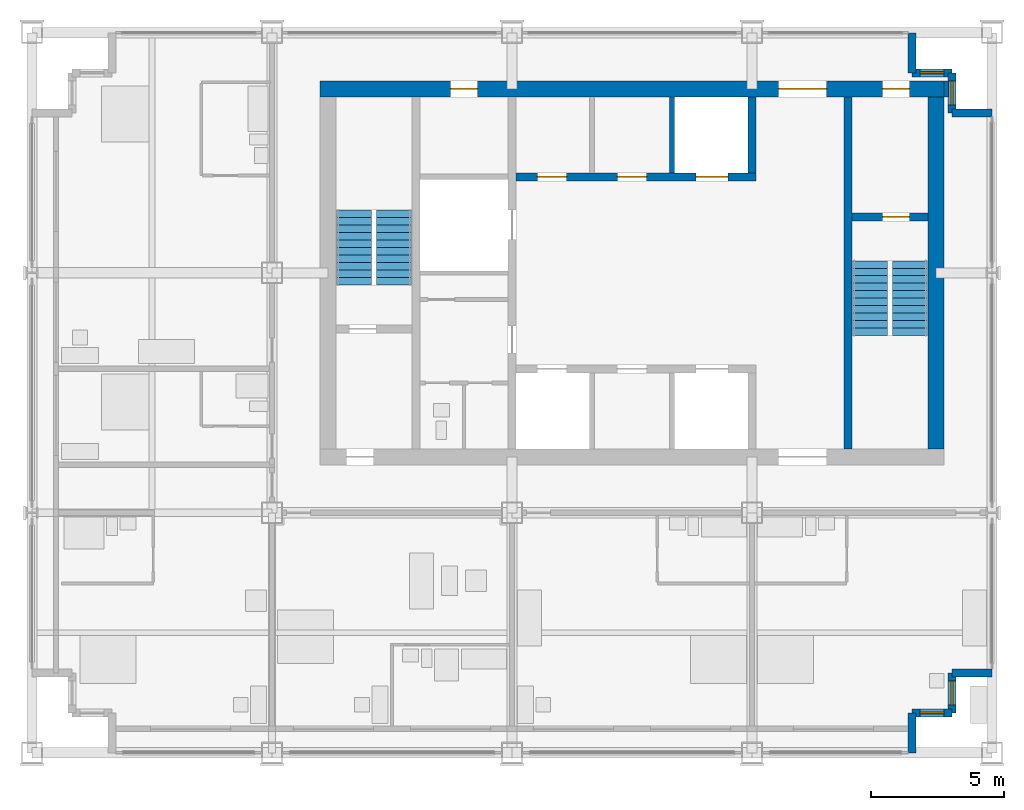
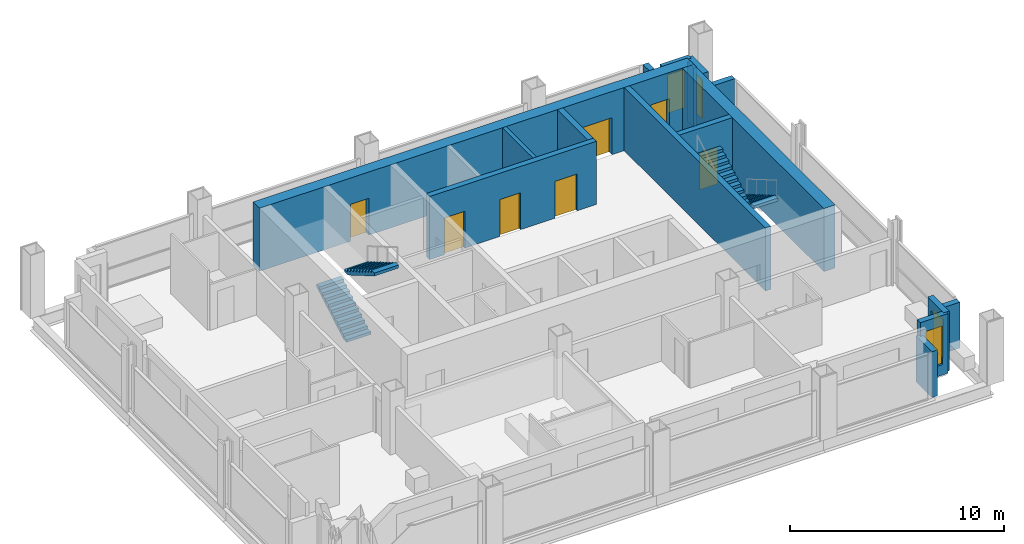
# One storey, part 8 of 11: 16 walls, 7 doors, 4 stair flights, 4 windows, 11 openings, 2 elements without a shape of their own.
"""IFC4 building model written with IfcOpenShell, lengths in metres."""

from ifc_helpers import new_model, si_unit, direction, frame, frame_2d, origin, place, context, subcontext, project, spatial, polyline, rectangle, outline, extrude, material, layer, layer_set, type_object, element, fill, aggregate, save


model = new_model("IFC4")

# Units and contexts
model_context = context("Model", 3, precision=1e-05, world=origin(), true_north=direction((0.0, 1.0)))
body_context = subcontext(model_context, "Body", "Model", "MODEL_VIEW")
ifc_project = project(units=[si_unit("LENGTHUNIT", "METRE"), si_unit("AREAUNIT", "SQUARE_METRE"), si_unit("VOLUMEUNIT", "CUBIC_METRE"), si_unit("PLANEANGLEUNIT", "RADIAN"), si_unit("MASSUNIT", "GRAM", prefix="KILO")], contexts=[model_context])

# Site, building, storey
site_placement = place(None, origin())
site = spatial("IfcSite", under=ifc_project, at=site_placement, CompositionType="ELEMENT")
building_placement = place(site_placement, origin())
building = spatial("IfcBuilding", under=site, at=building_placement, Name="Loomwork Tower", CompositionType="ELEMENT")
storey_placement = place(building_placement, frame((0.0, 0.0, 241.0)))
storey = spatial("IfcBuildingStorey", under=building, at=storey_placement, Name="L66", CompositionType="ELEMENT", Elevation=241.0)

# Wall, openings, doors
ifc_material_1 = material(Name="Concrete 14000 psi (97 MPa)", Category="concrete")
ifc_layer_1 = layer(ifc_material_1, 0.300048828125)
ifc_layer_set_1 = layer_set([ifc_layer_1], Name="Core shear wall 300")
wall_type_1 = type_object("IfcWallType", Name="Core shear wall 300", PredefinedType="SHEAR", material=ifc_layer_set_1)
wall_1_placement = place(storey_placement, frame((18.14990234375, 21.60009765625, 0.0), z_axis=(0.0, 0.0, 1.0), x_axis=(1.0, 0.0, 0.0)))
wall_1 = element("IfcWall", 1, at=wall_1_placement, inside=storey, type_object=wall_type_1, Name="Lift front wall north L66", PredefinedType="SHEAR", context=body_context, shape_type="SweptSolid", body=[
    extrude(rectangle(XDim=9.0, YDim=0.300048828125, at=frame_2d((4.5, 0.0))), origin(), (0.0, 0.0, 1.0), 3.60009765625),
])
opening_1_placement = place(wall_1_placement, frame((6.75, 0.0, 0.0)))
opening_1 = element("IfcOpeningElement", 2, at=opening_1_placement, cuts=wall_1, Name="Opening LD2", PredefinedType="OPENING", context=body_context, shape_type="SweptSolid", body=[
    extrude(rectangle(XDim=1.199951171875, YDim=2.10009765625, at=frame_2d((0.60009765625, 1.050048828125))), frame((0.0, 0.159912109375, 0.0), z_axis=(0.0, -1.0, 0.0), x_axis=(1.0, 0.0, 0.0)), (0.0, 0.0, 1.0), 0.320068359375),
])
opening_2_placement = place(wall_1_placement, frame((0.800048828125, 0.0, 0.0)))
opening_2 = element("IfcOpeningElement", 3, at=opening_2_placement, cuts=wall_1, Name="Opening D17", PredefinedType="OPENING", context=body_context, shape_type="SweptSolid", body=[
    extrude(rectangle(XDim=1.10009765625, YDim=2.10009765625, at=frame_2d((0.550048828125, 1.050048828125))), frame((0.0, 0.159912109375, 0.0), z_axis=(0.0, -1.0, 0.0), x_axis=(1.0, 0.0, 0.0)), (0.0, 0.0, 1.0), 0.320068359375),
])
opening_3_placement = place(wall_1_placement, frame((3.800048828125, 0.0, 0.0)))
opening_3 = element("IfcOpeningElement", 4, at=opening_3_placement, cuts=wall_1, Name="Opening D17", PredefinedType="OPENING", context=body_context, shape_type="SweptSolid", body=[
    extrude(rectangle(XDim=1.10009765625, YDim=2.10009765625, at=frame_2d((0.550048828125, 1.050048828125))), frame((0.0, 0.159912109375, 0.0), z_axis=(0.0, -1.0, 0.0), x_axis=(1.0, 0.0, 0.0)), (0.0, 0.0, 1.0), 0.320068359375),
])
ifc_material_2 = material(Name="Hollow metal door and frame")
door_type_1 = type_object("IfcDoorType", Name="Lift landing door 1200", OperationType="SLIDING_TO_LEFT", PredefinedType="DOOR", material=ifc_material_2)
door_1_placement = place(opening_1_placement, origin())
door_1 = element("IfcDoor", 5, at=door_1_placement, inside=storey, type_object=door_type_1, Name="Lift landing door LF2", OperationType="SLIDING_TO_LEFT", OverallHeight=2.10009765625, OverallWidth=1.199951171875, PredefinedType="DOOR", context=body_context, shape_type="SweptSolid", body=[
    extrude(rectangle(XDim=1.199951171875, YDim=2.10009765625, at=frame_2d((0.60009765625, 1.050048828125))), frame((0.0, 0.02490234375, 0.0), z_axis=(0.0, -1.0, 0.0), x_axis=(1.0, 0.0, 0.0)), (0.0, 0.0, 1.0), 0.050048828125),
])
fill(opening_1, door_1)
ifc_material_3 = material(Name="Hollow metal door and frame")
door_type_2 = type_object("IfcDoorType", Name="Service room door 1100", OperationType="SINGLE_SWING_LEFT", PredefinedType="DOOR", material=ifc_material_3)
door_2_placement = place(opening_2_placement, origin())
door_2 = element("IfcDoor", 6, at=door_2_placement, inside=storey, type_object=door_type_2, Name="Guest pantry, ice and vending door L66", OperationType="SINGLE_SWING_LEFT", OverallHeight=2.10009765625, OverallWidth=1.10009765625, PredefinedType="DOOR", context=body_context, shape_type="SweptSolid", body=[
    extrude(rectangle(XDim=1.10009765625, YDim=2.10009765625, at=frame_2d((0.550048828125, 1.050048828125))), frame((0.0, 0.02490234375, 0.0), z_axis=(0.0, -1.0, 0.0), x_axis=(1.0, 0.0, 0.0)), (0.0, 0.0, 1.0), 0.050048828125),
])
fill(opening_2, door_2)
door_3_placement = place(opening_3_placement, origin())
door_3 = element("IfcDoor", 7, at=door_3_placement, inside=storey, type_object=door_type_2, Name="Storage room door L66", OperationType="SINGLE_SWING_LEFT", OverallHeight=2.10009765625, OverallWidth=1.10009765625, PredefinedType="DOOR", context=body_context, shape_type="SweptSolid", body=[
    extrude(rectangle(XDim=1.10009765625, YDim=2.10009765625, at=frame_2d((0.550048828125, 1.050048828125))), frame((0.0, 0.02490234375, 0.0), z_axis=(0.0, -1.0, 0.0), x_axis=(1.0, 0.0, 0.0)), (0.0, 0.0, 1.0), 0.050048828125),
])
fill(opening_3, door_3)

# Walls
wall_2_placement = place(storey_placement, frame((27.0, 21.75, 0.0), z_axis=(0.0, 0.0, 1.0), x_axis=(0.0, 1.0, 0.0)))
element("IfcWall", 8, at=wall_2_placement, inside=storey, type_object=wall_type_1, Name="Lift shaft end wall north L66", PredefinedType="SHEAR", context=body_context, shape_type="SweptSolid", body=[
    extrude(rectangle(XDim=2.85009765625, YDim=0.300048828125, at=frame_2d((1.425048828125, 0.0))), origin(), (0.0, 0.0, 1.0), 3.60009765625),
])
wall_3_placement = place(storey_placement, frame((30.60009765625, 11.39990234375, 0.0), z_axis=(0.0, 0.0, 1.0), x_axis=(0.0, 1.0, 0.0)))
element("IfcWall", 9, at=wall_3_placement, inside=storey, type_object=wall_type_1, Name="Stair B west wall L66", PredefinedType="SHEAR", context=body_context, shape_type="SweptSolid", body=[
    extrude(rectangle(XDim=13.2001953125, YDim=0.300048828125, at=frame_2d((6.60009765625, 0.0))), origin(), (0.0, 0.0, 1.0), 3.60009765625),
])

# Wall, opening, door
wall_4_placement = place(storey_placement, frame((30.75, 20.10009765625, 0.0), z_axis=(0.0, 0.0, 1.0), x_axis=(1.0, 0.0, 0.0)))
wall_4 = element("IfcWall", 10, at=wall_4_placement, inside=storey, type_object=wall_type_1, Name="Stair B north wall L66", PredefinedType="SHEAR", context=body_context, shape_type="SweptSolid", body=[
    extrude(rectangle(XDim=2.85009765625, YDim=0.300048828125, at=frame_2d((1.425048828125, 0.0))), origin(), (0.0, 0.0, 1.0), 3.60009765625),
])
opening_4_placement = place(wall_4_placement, frame((1.14990234375, 0.0, 0.0)))
opening_4 = element("IfcOpeningElement", 11, at=opening_4_placement, cuts=wall_4, Name="Opening D4", PredefinedType="OPENING", context=body_context, shape_type="SweptSolid", body=[
    extrude(rectangle(XDim=1.0, YDim=2.10009765625, at=frame_2d((0.5, 1.050048828125))), frame((0.0, 0.159912109375, 0.0), z_axis=(0.0, -1.0, 0.0), x_axis=(1.0, 0.0, 0.0)), (0.0, 0.0, 1.0), 0.320068359375),
])
ifc_material_4 = material(Name="Hollow metal door and frame")
door_type_3 = type_object("IfcDoorType", Name="Stair door 1000", OperationType="SINGLE_SWING_RIGHT", PredefinedType="DOOR", material=ifc_material_4)
door_4_placement = place(opening_4_placement, frame((1.0, 0.0, 0.0), z_axis=(0.0, 0.0, 1.0), x_axis=(-1.0, 0.0, 0.0)))
door_4 = element("IfcDoor", 12, at=door_4_placement, inside=storey, type_object=door_type_3, Name="Stair B door", OperationType="SINGLE_SWING_LEFT", OverallHeight=2.10009765625, OverallWidth=1.0, PredefinedType="DOOR", context=body_context, shape_type="SweptSolid", body=[
    extrude(rectangle(XDim=1.0, YDim=2.10009765625, at=frame_2d((0.5, 1.050048828125))), frame((0.0, 0.02490234375, 0.0), z_axis=(0.0, -1.0, 0.0), x_axis=(1.0, 0.0, 0.0)), (0.0, 0.0, 1.0), 0.050048828125),
])
fill(opening_4, door_4)

# Wall, openings, doors
ifc_material_5 = material(Name="Concrete 14000 psi (97 MPa)", Category="concrete")
ifc_layer_2 = layer(ifc_material_5, 0.60009765625)
ifc_layer_set_2 = layer_set([ifc_layer_2], Name="Core shear wall 600")
wall_type_2 = type_object("IfcWallType", Name="Core shear wall 600", PredefinedType="SHEAR", material=ifc_layer_set_2)
wall_5_placement = place(storey_placement, frame((10.800048828125, 24.89990234375, 0.0), z_axis=(0.0, 0.0, 1.0), x_axis=(1.0, 0.0, 0.0)))
wall_5 = element("IfcWall", 13, at=wall_5_placement, inside=storey, type_object=wall_type_2, Name="Core wall north L66", PredefinedType="SHEAR", context=body_context, shape_type="SweptSolid", body=[
    extrude(rectangle(XDim=23.39990234375, YDim=0.60009765625, at=frame_2d((11.699951171875, 0.0))), origin(), (0.0, 0.0, 1.0), 3.60009765625),
])
opening_5_placement = place(wall_5_placement, frame((17.199951171875, 0.0, 0.0)))
opening_5 = element("IfcOpeningElement", 14, at=opening_5_placement, cuts=wall_5, Name="Opening D6", PredefinedType="OPENING", context=body_context, shape_type="SweptSolid", body=[
    extrude(rectangle(XDim=1.800048828125, YDim=2.10009765625, at=frame_2d((0.89990234375, 1.050048828125))), frame((0.0, 0.31005859375, 0.0), z_axis=(0.0, -1.0, 0.0), x_axis=(1.0, 0.0, 0.0)), (0.0, 0.0, 1.0), 0.6201171875),
])
opening_6_placement = place(wall_5_placement, frame((21.10009765625, 0.0, 0.0)))
opening_6 = element("IfcOpeningElement", 15, at=opening_6_placement, cuts=wall_5, Name="Opening D4", PredefinedType="OPENING", context=body_context, shape_type="SweptSolid", body=[
    extrude(rectangle(XDim=1.0, YDim=2.10009765625, at=frame_2d((0.5, 1.050048828125))), frame((0.0, 0.31005859375, 0.0), z_axis=(0.0, -1.0, 0.0), x_axis=(1.0, 0.0, 0.0)), (0.0, 0.0, 1.0), 0.6201171875),
])
opening_7_placement = place(wall_5_placement, frame((4.89990234375, 0.0, 0.0)))
opening_7 = element("IfcOpeningElement", 16, at=opening_7_placement, cuts=wall_5, Name="Opening D5", PredefinedType="OPENING", context=body_context, shape_type="SweptSolid", body=[
    extrude(rectangle(XDim=1.0, YDim=2.10009765625, at=frame_2d((0.5, 1.050048828125))), frame((0.0, 0.31005859375, 0.0), z_axis=(0.0, -1.0, 0.0), x_axis=(1.0, 0.0, 0.0)), (0.0, 0.0, 1.0), 0.6201171875),
])
ifc_material_6 = material(Name="Hollow metal door and frame")
door_type_4 = type_object("IfcDoorType", Name="Lobby passage double door 1800", OperationType="DOUBLE_DOOR_SINGLE_SWING", PredefinedType="DOOR", material=ifc_material_6)
door_5_placement = place(opening_5_placement, frame((1.800048828125, 0.0, 0.0), z_axis=(0.0, 0.0, 1.0), x_axis=(-1.0, 0.0, 0.0)))
door_5 = element("IfcDoor", 17, at=door_5_placement, inside=storey, type_object=door_type_4, Name="Lobby passage door north", OperationType="DOUBLE_DOOR_SINGLE_SWING", OverallHeight=2.10009765625, OverallWidth=1.800048828125, PredefinedType="DOOR", context=body_context, shape_type="SweptSolid", body=[
    extrude(rectangle(XDim=1.800048828125, YDim=2.10009765625, at=frame_2d((0.89990234375, 1.050048828125))), frame((0.0, 0.02490234375, 0.0), z_axis=(0.0, -1.0, 0.0), x_axis=(1.0, 0.0, 0.0)), (0.0, 0.0, 1.0), 0.050048828125),
])
fill(opening_5, door_5)
ifc_material_7 = material(Name="Hollow metal door and frame")
door_type_5 = type_object("IfcDoorType", Name="Service door 1000", OperationType="SINGLE_SWING_LEFT", PredefinedType="DOOR", material=ifc_material_7)
door_6_placement = place(opening_7_placement, frame((1.0, 0.0, 0.0), z_axis=(0.0, 0.0, 1.0), x_axis=(-1.0, 0.0, 0.0)))
door_6 = element("IfcDoor", 18, at=door_6_placement, inside=storey, type_object=door_type_5, Name="Back-of-house door north", OperationType="SINGLE_SWING_LEFT", OverallHeight=2.10009765625, OverallWidth=1.0, PredefinedType="DOOR", context=body_context, shape_type="SweptSolid", body=[
    extrude(rectangle(XDim=1.0, YDim=2.10009765625, at=frame_2d((0.5, 1.050048828125))), frame((0.0, 0.02490234375, 0.0), z_axis=(0.0, -1.0, 0.0), x_axis=(1.0, 0.0, 0.0)), (0.0, 0.0, 1.0), 0.050048828125),
])
fill(opening_7, door_6)
door_7_placement = place(opening_6_placement, frame((1.0, 0.0, 0.0), z_axis=(0.0, 0.0, 1.0), x_axis=(-1.0, 0.0, 0.0)))
door_7 = element("IfcDoor", 19, at=door_7_placement, inside=storey, type_object=door_type_3, Name="Stair B vestibule door", OperationType="SINGLE_SWING_LEFT", OverallHeight=2.10009765625, OverallWidth=1.0, PredefinedType="DOOR", context=body_context, shape_type="SweptSolid", body=[
    extrude(rectangle(XDim=1.0, YDim=2.10009765625, at=frame_2d((0.5, 1.050048828125))), frame((0.0, 0.02490234375, 0.0), z_axis=(0.0, -1.0, 0.0), x_axis=(1.0, 0.0, 0.0)), (0.0, 0.0, 1.0), 0.050048828125),
])
fill(opening_6, door_7)

# Walls
wall_6_placement = place(storey_placement, frame((33.89990234375, 11.39990234375, 0.0), z_axis=(0.0, 0.0, 1.0), x_axis=(0.0, 1.0, 0.0)))
element("IfcWall", 20, at=wall_6_placement, inside=storey, type_object=wall_type_2, Name="Core wall east L66", PredefinedType="SHEAR", context=body_context, shape_type="SweptSolid", body=[
    extrude(rectangle(XDim=13.2001953125, YDim=0.60009765625, at=frame_2d((6.60009765625, 0.0))), origin(), (0.0, 0.0, 1.0), 3.60009765625),
])
ifc_material_8 = material(Name="Concrete 14000 psi (97 MPa)", Category="concrete")
ifc_layer_3 = layer(ifc_material_8, 0.199951171875)
ifc_layer_set_3 = layer_set([ifc_layer_3], Name="Lift shaft wall 200")
wall_type_3 = type_object("IfcWallType", Name="Lift shaft wall 200", PredefinedType="SHEAR", material=ifc_layer_set_3)
wall_7_placement = place(storey_placement, frame((24.0, 21.75, 0.0), z_axis=(0.0, 0.0, 1.0), x_axis=(0.0, 1.0, 0.0)))
element("IfcWall", 21, at=wall_7_placement, inside=storey, type_object=wall_type_3, Name="Lift shaft separation wall north 2 L66", PredefinedType="SHEAR", context=body_context, shape_type="SweptSolid", body=[
    extrude(rectangle(XDim=2.85009765625, YDim=0.199951171875, at=frame_2d((1.425048828125, 0.0))), origin(), (0.0, 0.0, 1.0), 3.60009765625),
])
ifc_material_9 = material(Name="Limestone on concrete masonry", Category="masonry")
ifc_layer_4 = layer(ifc_material_9, 0.300048828125)
ifc_layer_set_4 = layer_set([ifc_layer_4], Name="Limestone corner wall 300")
wall_type_4 = type_object("IfcWallType", Name="Limestone corner wall 300", PredefinedType="SOLIDWALL", material=ifc_layer_set_4)
wall_8_placement = place(storey_placement, frame((33.0, 0.0, 0.0), z_axis=(0.0, 0.0, 1.0), x_axis=(0.0, 1.0, 0.0)))
element("IfcWall", 22, at=wall_8_placement, inside=storey, type_object=wall_type_4, Name="Stone corner wall SE 1", PredefinedType="SOLIDWALL", context=body_context, shape_type="SweptSolid", body=[
    extrude(rectangle(XDim=1.5, YDim=0.300048828125, at=frame_2d((0.75, 0.0))), origin(), (0.0, 0.0, 1.0), 2.6201171875),
])

# Wall, opening, window
wall_9_placement = place(storey_placement, frame((33.0, 1.5, 0.0), z_axis=(0.0, 0.0, 1.0), x_axis=(1.0, 0.0, 0.0)))
wall_9 = element("IfcWall", 23, at=wall_9_placement, inside=storey, type_object=wall_type_4, Name="Stone corner wall SE 2", PredefinedType="SOLIDWALL", context=body_context, shape_type="SweptSolid", body=[
    extrude(rectangle(XDim=1.5, YDim=0.300048828125, at=frame_2d((0.75, 0.0))), origin(), (0.0, 0.0, 1.0), 3.39990234375),
])
opening_8_placement = place(wall_9_placement, frame((0.300048828125, 0.0, 0.60009765625)))
opening_8 = element("IfcOpeningElement", 24, at=opening_8_placement, cuts=wall_9, Name="Opening CH2", PredefinedType="OPENING", context=body_context, shape_type="SweptSolid", body=[
    extrude(rectangle(XDim=0.89990234375, YDim=2.199951171875, at=frame_2d((0.449951171875, 1.10009765625))), frame((0.0, 0.159912109375, 0.0), z_axis=(0.0, -1.0, 0.0), x_axis=(1.0, 0.0, 0.0)), (0.0, 0.0, 1.0), 0.320068359375),
])
ifc_material_10 = material(Name="Aluminium frame with clear insulated glass", Category="aluminium")
window_type = type_object("IfcWindowType", Name="Corner window 900", PartitioningType="SINGLE_PANEL", PredefinedType="WINDOW", material=ifc_material_10)
window_1_placement = place(opening_8_placement, origin())
window_1 = element("IfcWindow", 25, at=window_1_placement, inside=storey, type_object=window_type, Name="Corner window SE", OverallHeight=2.199951171875, OverallWidth=0.89990234375, PartitioningType="SINGLE_PANEL", PredefinedType="WINDOW", context=body_context, shape_type="SweptSolid", body=[
    extrude(rectangle(XDim=0.89990234375, YDim=2.199951171875, at=frame_2d((0.449951171875, 1.10009765625))), frame((0.0, 0.030029296875, 0.0), z_axis=(0.0, -1.0, 0.0), x_axis=(1.0, 0.0, 0.0)), (0.0, 0.0, 1.0), 0.06005859375),
])
fill(opening_8, window_1)

wall_10_placement = place(storey_placement, frame((34.5, 1.5, 0.0), z_axis=(0.0, 0.0, 1.0), x_axis=(0.0, 1.0, 0.0)))
wall_10 = element("IfcWall", 26, at=wall_10_placement, inside=storey, type_object=wall_type_4, Name="Stone corner wall SE 3", PredefinedType="SOLIDWALL", context=body_context, shape_type="SweptSolid", body=[
    extrude(rectangle(XDim=1.5, YDim=0.300048828125, at=frame_2d((0.75, 0.0))), origin(), (0.0, 0.0, 1.0), 3.39990234375),
])
opening_9_placement = place(wall_10_placement, frame((0.300048828125, 0.0, 0.60009765625)))
opening_9 = element("IfcOpeningElement", 27, at=opening_9_placement, cuts=wall_10, Name="Opening CH2", PredefinedType="OPENING", context=body_context, shape_type="SweptSolid", body=[
    extrude(rectangle(XDim=0.89990234375, YDim=2.199951171875, at=frame_2d((0.449951171875, 1.10009765625))), frame((0.0, 0.159912109375, 0.0), z_axis=(0.0, -1.0, 0.0), x_axis=(1.0, 0.0, 0.0)), (0.0, 0.0, 1.0), 0.320068359375),
])
window_2_placement = place(opening_9_placement, origin())
window_2 = element("IfcWindow", 28, at=window_2_placement, inside=storey, type_object=window_type, Name="Corner window SE", OverallHeight=2.199951171875, OverallWidth=0.89990234375, PartitioningType="SINGLE_PANEL", PredefinedType="WINDOW", context=body_context, shape_type="SweptSolid", body=[
    extrude(rectangle(XDim=0.89990234375, YDim=2.199951171875, at=frame_2d((0.449951171875, 1.10009765625))), frame((0.0, 0.030029296875, 0.0), z_axis=(0.0, -1.0, 0.0), x_axis=(1.0, 0.0, 0.0)), (0.0, 0.0, 1.0), 0.06005859375),
])
fill(opening_9, window_2)

# Walls
for number, where, z_axis, x_axis, name in (
    (29, (34.5, 3.0, 0.0), (0.0, 0.0, 1.0), (1.0, 0.0, 0.0), "Stone corner wall SE 4"),
    (30, (36.0, 24.0, 0.0), (0.0, 0.0, 1.0), (-1.0, 0.0, 0.0), "Stone corner wall NE 1"),
):
    element("IfcWall", number, at=place(storey_placement, frame(where, z_axis=z_axis, x_axis=x_axis)), inside=storey, type_object=wall_type_4, Name=name, PredefinedType="SOLIDWALL", context=body_context, shape_type="SweptSolid", body=[
        extrude(rectangle(XDim=1.5, YDim=0.300048828125, at=frame_2d((0.75, 0.0))), origin(), (0.0, 0.0, 1.0), 2.6201171875),
    ])

# Wall, opening, window
wall_11_placement = place(storey_placement, frame((34.5, 24.0, 0.0), z_axis=(0.0, 0.0, 1.0), x_axis=(0.0, 1.0, 0.0)))
wall_11 = element("IfcWall", 31, at=wall_11_placement, inside=storey, type_object=wall_type_4, Name="Stone corner wall NE 2", PredefinedType="SOLIDWALL", context=body_context, shape_type="SweptSolid", body=[
    extrude(rectangle(XDim=1.5, YDim=0.300048828125, at=frame_2d((0.75, 0.0))), origin(), (0.0, 0.0, 1.0), 3.39990234375),
])
opening_10_placement = place(wall_11_placement, frame((0.300048828125, 0.0, 0.60009765625)))
opening_10 = element("IfcOpeningElement", 32, at=opening_10_placement, cuts=wall_11, Name="Opening CH2", PredefinedType="OPENING", context=body_context, shape_type="SweptSolid", body=[
    extrude(rectangle(XDim=0.89990234375, YDim=2.199951171875, at=frame_2d((0.449951171875, 1.10009765625))), frame((0.0, 0.159912109375, 0.0), z_axis=(0.0, -1.0, 0.0), x_axis=(1.0, 0.0, 0.0)), (0.0, 0.0, 1.0), 0.320068359375),
])
window_3_placement = place(opening_10_placement, origin())
window_3 = element("IfcWindow", 33, at=window_3_placement, inside=storey, type_object=window_type, Name="Corner window NE", OverallHeight=2.199951171875, OverallWidth=0.89990234375, PartitioningType="SINGLE_PANEL", PredefinedType="WINDOW", context=body_context, shape_type="SweptSolid", body=[
    extrude(rectangle(XDim=0.89990234375, YDim=2.199951171875, at=frame_2d((0.449951171875, 1.10009765625))), frame((0.0, 0.030029296875, 0.0), z_axis=(0.0, -1.0, 0.0), x_axis=(1.0, 0.0, 0.0)), (0.0, 0.0, 1.0), 0.06005859375),
])
fill(opening_10, window_3)

wall_12_placement = place(storey_placement, frame((34.5, 25.5, 0.0), z_axis=(0.0, 0.0, 1.0), x_axis=(-1.0, 0.0, 0.0)))
wall_12 = element("IfcWall", 34, at=wall_12_placement, inside=storey, type_object=wall_type_4, Name="Stone corner wall NE 3", PredefinedType="SOLIDWALL", context=body_context, shape_type="SweptSolid", body=[
    extrude(rectangle(XDim=1.5, YDim=0.300048828125, at=frame_2d((0.75, 0.0))), origin(), (0.0, 0.0, 1.0), 3.39990234375),
])
opening_11_placement = place(wall_12_placement, frame((0.300048828125, 0.0, 0.60009765625)))
opening_11 = element("IfcOpeningElement", 35, at=opening_11_placement, cuts=wall_12, Name="Opening CH2", PredefinedType="OPENING", context=body_context, shape_type="SweptSolid", body=[
    extrude(rectangle(XDim=0.89990234375, YDim=2.199951171875, at=frame_2d((0.449951171875, 1.10009765625))), frame((0.0, 0.159912109375, 0.0), z_axis=(0.0, -1.0, 0.0), x_axis=(1.0, 0.0, 0.0)), (0.0, 0.0, 1.0), 0.320068359375),
])
window_4_placement = place(opening_11_placement, origin())
window_4 = element("IfcWindow", 36, at=window_4_placement, inside=storey, type_object=window_type, Name="Corner window NE", OverallHeight=2.199951171875, OverallWidth=0.89990234375, PartitioningType="SINGLE_PANEL", PredefinedType="WINDOW", context=body_context, shape_type="SweptSolid", body=[
    extrude(rectangle(XDim=0.89990234375, YDim=2.199951171875, at=frame_2d((0.449951171875, 1.10009765625))), frame((0.0, 0.030029296875, 0.0), z_axis=(0.0, -1.0, 0.0), x_axis=(1.0, 0.0, 0.0)), (0.0, 0.0, 1.0), 0.06005859375),
])
fill(opening_11, window_4)

# Walls
wall_13_placement = place(storey_placement, frame((33.0, 25.5, 0.0), z_axis=(0.0, 0.0, 1.0), x_axis=(0.0, 1.0, 0.0)))
element("IfcWall", 37, at=wall_13_placement, inside=storey, type_object=wall_type_4, Name="Stone corner wall NE 4", PredefinedType="SOLIDWALL", context=body_context, shape_type="SweptSolid", body=[
    extrude(rectangle(XDim=1.5, YDim=0.300048828125, at=frame_2d((0.75, 0.0))), origin(), (0.0, 0.0, 1.0), 2.6201171875),
])
ifc_material_11 = material(Name="Gypsum board on steel studs, one-hour", Category="steel")
ifc_layer_5 = layer(ifc_material_11, 0.14990234375)
ifc_layer_set_5 = layer_set([ifc_layer_5], Name="Service partition 150")
wall_type_5 = type_object("IfcWallType", Name="Service partition 150", PredefinedType="PARTITIONING", material=ifc_layer_set_5)
wall_14_placement = place(storey_placement, frame((34.199951171875, 24.89990234375, 0.0), z_axis=(0.0, 0.0, 1.0), x_axis=(1.0, 0.0, 0.0)))
element("IfcWall", 38, at=wall_14_placement, inside=storey, type_object=wall_type_5, Name="Core wall infill L66", PredefinedType="PARTITIONING", context=body_context, shape_type="SweptSolid", body=[
    extrude(rectangle(XDim=0.16015625, YDim=0.60009765625, at=frame_2d((0.080078125, 0.0))), origin(), (0.0, 0.0, 1.0), 3.39990234375),
])

# Stair, stair flights
ifc_material_12 = material(Name="Concrete 5000 psi (34 MPa) precast stair", Category="concrete")
stair_type_1 = type_object("IfcStairType", Name="Stair ST-A 22 risers 2850 wide", PredefinedType="HALF_TURN_STAIR", material=ifc_material_12)
stair_1_placement = place(storey_placement, origin())
stair_1 = element("IfcStair", 39, at=stair_1_placement, inside=storey, type_object=stair_type_1, Name="Stair A L66", PredefinedType="HALF_TURN_STAIR")
ifc_material_13 = material(Name="Concrete 5000 psi (34 MPa) precast stair", Category="concrete")
stair_flight_type_1 = type_object("IfcStairFlightType", Name="Stair flight ST-A 11 risers 1300 wide", PredefinedType="STRAIGHT", material=ifc_material_13)
stair_flight_1_placement = place(storey_placement, frame((12.074951171875, 17.550048828125, 0.0), z_axis=(0.0, 0.0, 1.0), x_axis=(0.0, 1.0, 0.0)))
stair_flight_1 = element("IfcStairFlight", 40, at=stair_flight_1_placement, type_object=stair_flight_type_1, Name="ST-A flight 1", NumberOfRisers=11, NumberOfTreads=10, PredefinedType="STRAIGHT", RiserHeight=0.163636364, TreadLength=0.28, context=body_context, shape_type="SweptSolid", body=[
    extrude(outline(polyline([(0.0, 0.0), (0.0, 0.16357421875), (0.280029296875, 0.16357421875), (0.280029296875, 0.327392578125), (0.56005859375, 0.327392578125), (0.56005859375, 0.490966796875), (0.840087890625, 0.490966796875), (0.840087890625, 0.654541015625), (1.1201171875, 0.654541015625), (1.1201171875, 0.818115234375), (1.39990234375, 0.818115234375), (1.39990234375, 0.98193359375), (1.679931640625, 0.98193359375), (1.679931640625, 1.1455078125), (1.9599609375, 1.1455078125), (1.9599609375, 1.30908203125), (2.239990234375, 1.30908203125), (2.239990234375, 1.47265625), (2.52001953125, 1.47265625), (2.52001953125, 1.636474609375), (2.800048828125, 1.636474609375), (2.800048828125, 1.800048828125), (2.800048828125, 1.462646484375), (0.297119140625, 0.0), (0.0, 0.0)])), frame((0.0, 0.64990234375, 0.0), z_axis=(0.0, -1.0, 0.0), x_axis=(1.0, 0.0, 0.0)), (0.0, 0.0, 1.0), 1.300048828125),
])
stair_flight_2_placement = place(storey_placement, frame((13.574951171875, 20.35009765625, 1.800048828125), z_axis=(0.0, 0.0, 1.0), x_axis=(0.0, -1.0, 0.0)))
stair_flight_2 = element("IfcStairFlight", 41, at=stair_flight_2_placement, type_object=stair_flight_type_1, Name="ST-A flight 2", NumberOfRisers=11, NumberOfTreads=10, PredefinedType="STRAIGHT", RiserHeight=0.163636364, TreadLength=0.28, context=body_context, shape_type="SweptSolid", body=[
    extrude(outline(polyline([(0.0, 0.0), (0.0, 0.16357421875), (0.280029296875, 0.16357421875), (0.280029296875, 0.327392578125), (0.56005859375, 0.327392578125), (0.56005859375, 0.490966796875), (0.840087890625, 0.490966796875), (0.840087890625, 0.654541015625), (1.1201171875, 0.654541015625), (1.1201171875, 0.818115234375), (1.39990234375, 0.818115234375), (1.39990234375, 0.98193359375), (1.679931640625, 0.98193359375), (1.679931640625, 1.1455078125), (1.9599609375, 1.1455078125), (1.9599609375, 1.30908203125), (2.239990234375, 1.30908203125), (2.239990234375, 1.47265625), (2.52001953125, 1.47265625), (2.52001953125, 1.636474609375), (2.800048828125, 1.636474609375), (2.800048828125, 1.800048828125), (2.800048828125, 1.462646484375), (0.297119140625, 0.0), (0.0, 0.0)])), frame((0.0, 0.64990234375, 0.0), z_axis=(0.0, -1.0, 0.0), x_axis=(1.0, 0.0, 0.0)), (0.0, 0.0, 1.0), 1.300048828125),
])
aggregate(stair_1, [stair_flight_1, stair_flight_2])

ifc_material_14 = material(Name="Concrete 5000 psi (34 MPa) precast stair", Category="concrete")
stair_type_2 = type_object("IfcStairType", Name="Stair ST-B 22 risers 2850 wide", PredefinedType="HALF_TURN_STAIR", material=ifc_material_14)
stair_2_placement = place(storey_placement, origin())
stair_2 = element("IfcStair", 42, at=stair_2_placement, inside=storey, type_object=stair_type_2, Name="Stair B L66", PredefinedType="HALF_TURN_STAIR")
ifc_material_15 = material(Name="Concrete 5000 psi (34 MPa) precast stair", Category="concrete")
stair_flight_type_2 = type_object("IfcStairFlightType", Name="Stair flight ST-B 11 risers 1300 wide", PredefinedType="STRAIGHT", material=ifc_material_15)
stair_flight_3_placement = place(storey_placement, frame((32.925048828125, 18.449951171875, 0.0), z_axis=(0.0, 0.0, 1.0), x_axis=(0.0, -1.0, 0.0)))
stair_flight_3 = element("IfcStairFlight", 43, at=stair_flight_3_placement, type_object=stair_flight_type_2, Name="ST-B flight 1", NumberOfRisers=11, NumberOfTreads=10, PredefinedType="STRAIGHT", RiserHeight=0.163636364, TreadLength=0.28, context=body_context, shape_type="SweptSolid", body=[
    extrude(outline(polyline([(0.0, 0.0), (0.0, 0.16357421875), (0.280029296875, 0.16357421875), (0.280029296875, 0.327392578125), (0.56005859375, 0.327392578125), (0.56005859375, 0.490966796875), (0.840087890625, 0.490966796875), (0.840087890625, 0.654541015625), (1.1201171875, 0.654541015625), (1.1201171875, 0.818115234375), (1.39990234375, 0.818115234375), (1.39990234375, 0.98193359375), (1.679931640625, 0.98193359375), (1.679931640625, 1.1455078125), (1.9599609375, 1.1455078125), (1.9599609375, 1.30908203125), (2.239990234375, 1.30908203125), (2.239990234375, 1.47265625), (2.52001953125, 1.47265625), (2.52001953125, 1.636474609375), (2.800048828125, 1.636474609375), (2.800048828125, 1.800048828125), (2.800048828125, 1.462646484375), (0.297119140625, 0.0), (0.0, 0.0)])), frame((0.0, 0.64990234375, 0.0), z_axis=(0.0, -1.0, 0.0), x_axis=(1.0, 0.0, 0.0)), (0.0, 0.0, 1.0), 1.300048828125),
])
stair_flight_4_placement = place(storey_placement, frame((31.425048828125, 15.64990234375, 1.800048828125), z_axis=(0.0, 0.0, 1.0), x_axis=(0.0, 1.0, 0.0)))
stair_flight_4 = element("IfcStairFlight", 44, at=stair_flight_4_placement, type_object=stair_flight_type_2, Name="ST-B flight 2", NumberOfRisers=11, NumberOfTreads=10, PredefinedType="STRAIGHT", RiserHeight=0.163636364, TreadLength=0.28, context=body_context, shape_type="SweptSolid", body=[
    extrude(outline(polyline([(0.0, 0.0), (0.0, 0.16357421875), (0.280029296875, 0.16357421875), (0.280029296875, 0.327392578125), (0.56005859375, 0.327392578125), (0.56005859375, 0.490966796875), (0.840087890625, 0.490966796875), (0.840087890625, 0.654541015625), (1.1201171875, 0.654541015625), (1.1201171875, 0.818115234375), (1.39990234375, 0.818115234375), (1.39990234375, 0.98193359375), (1.679931640625, 0.98193359375), (1.679931640625, 1.1455078125), (1.9599609375, 1.1455078125), (1.9599609375, 1.30908203125), (2.239990234375, 1.30908203125), (2.239990234375, 1.47265625), (2.52001953125, 1.47265625), (2.52001953125, 1.636474609375), (2.800048828125, 1.636474609375), (2.800048828125, 1.800048828125), (2.800048828125, 1.462646484375), (0.297119140625, 0.0), (0.0, 0.0)])), frame((0.0, 0.64990234375, 0.0), z_axis=(0.0, -1.0, 0.0), x_axis=(1.0, 0.0, 0.0)), (0.0, 0.0, 1.0), 1.300048828125),
])
aggregate(stair_2, [stair_flight_3, stair_flight_4])

save(model, "model.ifc")
